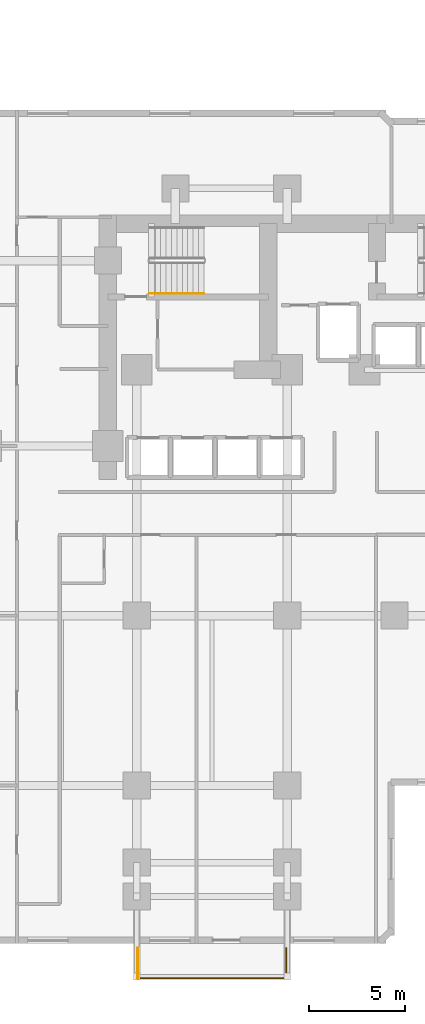
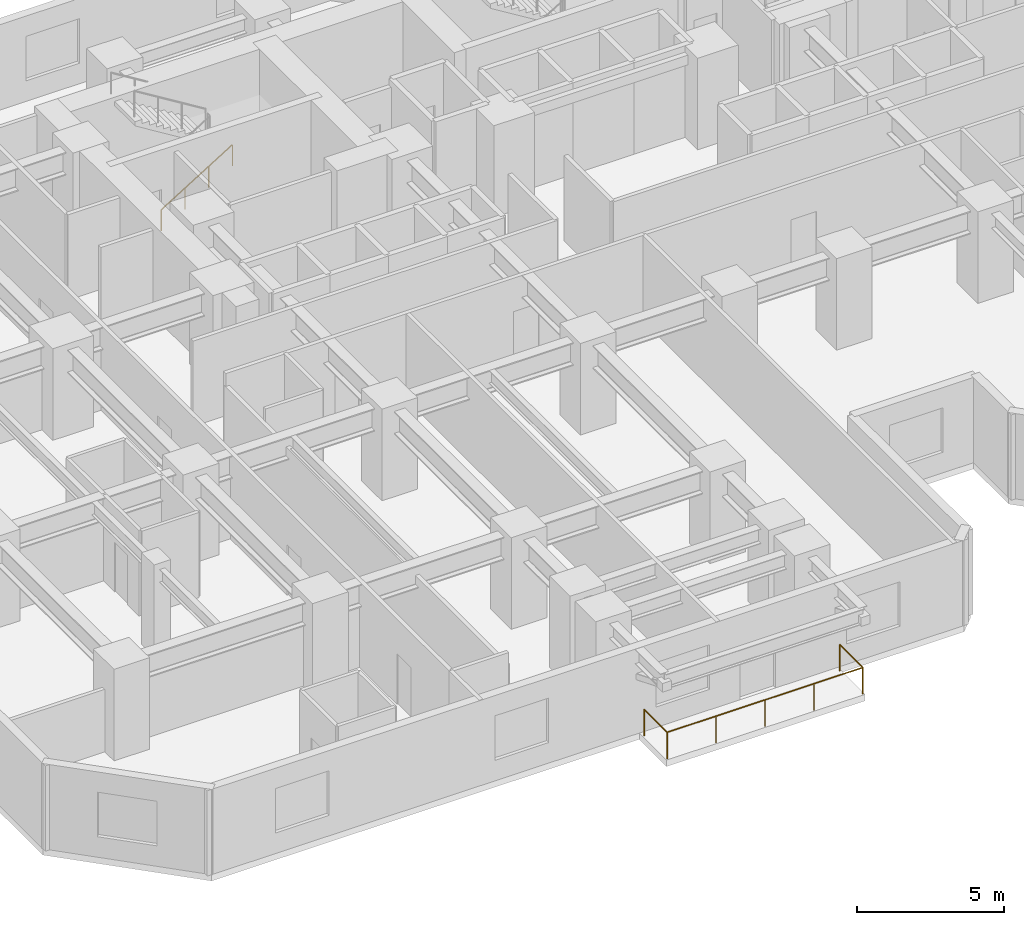
# One storey, part 10 of 11: 3 railings.
"""IFC4 building model written with IfcOpenShell, lengths in metres."""

from ifc_helpers import new_model, si_unit, direction, frame, origin, origin_2d, place, context, subcontext, project, spatial, circle, extrude, material, type_object, element, save


model = new_model("IFC4")

# Units and contexts
model_context = context("Model", 3, precision=1e-05, world=origin(), true_north=direction((0.0, 1.0)))
body_context = subcontext(model_context, "Body", "Model", "MODEL_VIEW")
ifc_project = project(units=[si_unit("LENGTHUNIT", "METRE"), si_unit("AREAUNIT", "SQUARE_METRE"), si_unit("VOLUMEUNIT", "CUBIC_METRE"), si_unit("PLANEANGLEUNIT", "RADIAN"), si_unit("MASSUNIT", "GRAM", prefix="KILO")], contexts=[model_context])

# Site, building, storey
site_placement = place(None, origin())
site = spatial("IfcSite", under=ifc_project, at=site_placement, CompositionType="ELEMENT")
building_placement = place(site_placement, origin())
building = spatial("IfcBuilding", under=site, at=building_placement, Name="Kestravale Grand Hotel", CompositionType="ELEMENT")
storey_placement = place(building_placement, frame((0.0, 0.0, 45.0)))
storey = spatial("IfcBuildingStorey", under=building, at=storey_placement, Name="L10", CompositionType="ELEMENT", Elevation=45.0)

# Railings
ifc_material_1 = material(Name="Champagne-bronze stainless steel and laminated glass guard", Category="steel")
railing_type_1 = type_object("IfcRailingType", Name="RL-EXT-1100", PredefinedType="GUARDRAIL", material=ifc_material_1)
railing_1_placement = place(storey_placement, frame((23.4599609375, 1.2099609375, 0.0)))
element("IfcRailing", 1, at=railing_1_placement, inside=storey, type_object=railing_type_1, Name="L10 outdoor terrace guard 1", PredefinedType="GUARDRAIL", context=body_context, shape_type="SweptSolid", body=[
    extrude(circle(Radius=0.02392578125, at=origin_2d()), frame((0.0, 0.0, 1.09619140625), z_axis=(0.0, 1.0, 0.0), x_axis=(-1.0, 0.0, 0.0)), (0.0, 0.0, 1.0), 1.570068359375),
    extrude(circle(Radius=0.02099609375, at=origin_2d()), origin(), (0.0, 0.0, 1.0), 1.072021484375),
    extrude(circle(Radius=0.02099609375, at=origin_2d()), frame((0.0, 1.570068359375, 0.0)), (0.0, 0.0, 1.0), 1.072021484375),
])
railing_2_placement = place(storey_placement, frame((31.139892578125, 2.780029296875, 0.0)))
element("IfcRailing", 2, at=railing_2_placement, inside=storey, type_object=railing_type_1, Name="L10 outdoor terrace guard 2", PredefinedType="GUARDRAIL", context=body_context, shape_type="SweptSolid", body=[
    extrude(circle(Radius=0.02392578125, at=origin_2d()), frame((0.0, 0.0, 1.09619140625), z_axis=(0.0, -1.0, 0.0), x_axis=(1.0, 0.0, 0.0)), (0.0, 0.0, 1.0), 1.570068359375),
    extrude(circle(Radius=0.02392578125, at=origin_2d()), frame((0.0, -1.570068359375, 1.09619140625), z_axis=(-1.0, 0.0, 0.0), x_axis=(0.0, -1.0, 0.0)), (0.0, 0.0, 1.0), 7.679931640625),
    extrude(circle(Radius=0.02099609375, at=origin_2d()), origin(), (0.0, 0.0, 1.0), 1.072021484375),
    extrude(circle(Radius=0.02099609375, at=origin_2d()), frame((0.0, -1.570068359375, 0.0)), (0.0, 0.0, 1.0), 1.072021484375),
    extrude(circle(Radius=0.02099609375, at=origin_2d()), frame((-1.919921875, -1.570068359375, 0.0)), (0.0, 0.0, 1.0), 1.072021484375),
    extrude(circle(Radius=0.02099609375, at=origin_2d()), frame((-3.83984375, -1.570068359375, 0.0)), (0.0, 0.0, 1.0), 1.072021484375),
    extrude(circle(Radius=0.02099609375, at=origin_2d()), frame((-5.760009765625, -1.570068359375, 0.0)), (0.0, 0.0, 1.0), 1.072021484375),
    extrude(circle(Radius=0.02099609375, at=origin_2d()), frame((-7.679931640625, -1.570068359375, 0.0)), (0.0, 0.0, 1.0), 1.072021484375),
])
ifc_material_2 = material(Name="Brushed stainless steel wall handrail", Category="steel")
railing_type_2 = type_object("IfcRailingType", Name="RL-ST-HND900", PredefinedType="HANDRAIL", material=ifc_material_2)
railing_3_placement = place(storey_placement, frame((24.080078125, 36.699951171875, 0.172607421875)))
element("IfcRailing", 3, at=railing_3_placement, inside=storey, type_object=railing_type_2, Name="L10 ST-1 stair handrail 1", PredefinedType="HANDRAIL", context=body_context, shape_type="SweptSolid", body=[
    extrude(circle(Radius=0.02392578125, at=origin_2d()), frame((0.0, 0.0, 0.8759765625), z_axis=(0.851069175582, 0.0, 0.525053576669), x_axis=(0.0, 1.0, 0.0)), (0.0, 0.0, 1.0), 3.289794921875),
    extrude(circle(Radius=0.02099609375, at=origin_2d()), origin(), (0.0, 0.0, 1.0), 0.851806640625),
    extrude(circle(Radius=0.02099609375, at=origin_2d()), frame((0.933349609375, 0.0, 0.57568359375)), (0.0, 0.0, 1.0), 0.851806640625),
    extrude(circle(Radius=0.02099609375, at=origin_2d()), frame((1.866455078125, 0.0, 1.151611328125)), (0.0, 0.0, 1.0), 0.851806640625),
    extrude(circle(Radius=0.02099609375, at=origin_2d()), frame((2.7998046875, 0.0, 1.727294921875)), (0.0, 0.0, 1.0), 0.851806640625),
])

save(model, "model.ifc")
